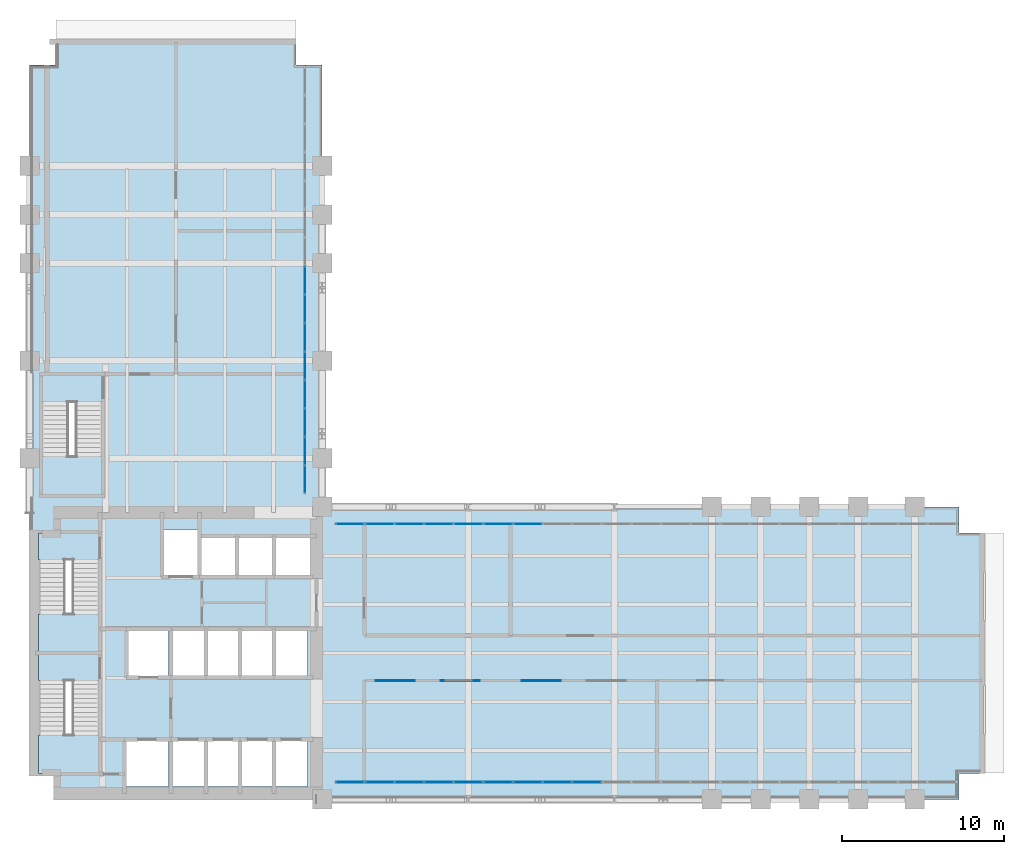
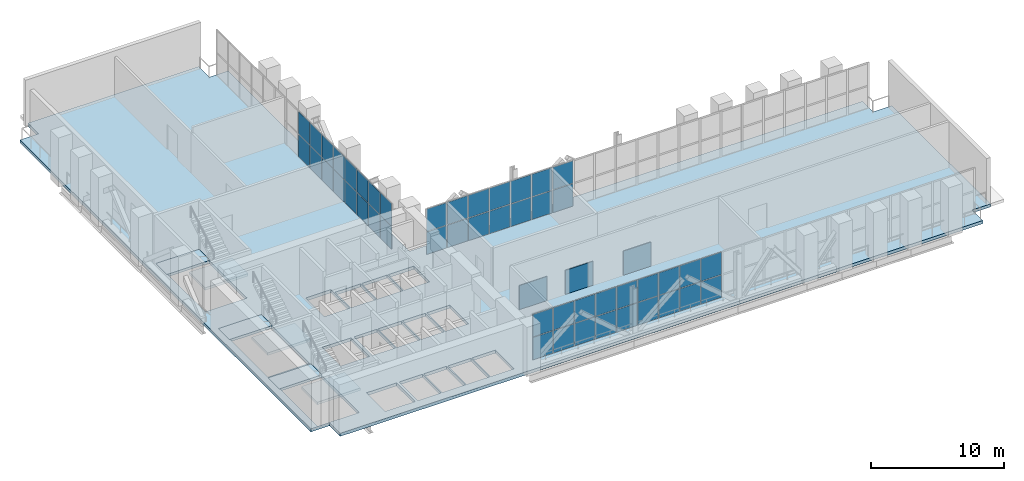
# One storey, part 21 of 27: 51 plates, 7 slabs, 6 elements without a shape of their own.
"""IFC4 building model written with IfcOpenShell, lengths in metres."""

from ifc_helpers import new_model, si_unit, direction, frame, origin, origin_2d, place, context, subcontext, project, spatial, polyline, rectangle, outline, extrude, material, layer, layer_set, type_object, element, aggregate, save


model = new_model("IFC4")

# Units and contexts
model_context = context("Model", 3, precision=1e-05, world=origin(), true_north=direction((0.0, 1.0)))
body_context = subcontext(model_context, "Body", "Model", "MODEL_VIEW")
ifc_project = project(units=[si_unit("LENGTHUNIT", "METRE"), si_unit("AREAUNIT", "SQUARE_METRE"), si_unit("VOLUMEUNIT", "CUBIC_METRE"), si_unit("PLANEANGLEUNIT", "RADIAN"), si_unit("MASSUNIT", "GRAM", prefix="KILO")], contexts=[model_context])

# Site, building, storey
site_placement = place(None, origin())
site = spatial("IfcSite", under=ifc_project, at=site_placement, CompositionType="ELEMENT")
building_placement = place(site_placement, origin())
building = spatial("IfcBuilding", under=site, at=building_placement, Name="Mawjdan Bourse Tower", CompositionType="ELEMENT")
storey_placement = place(building_placement, frame((0.0, 0.0, 84.60009765625)))
storey = spatial("IfcBuildingStorey", under=building, at=storey_placement, Name="L19", CompositionType="ELEMENT", Elevation=84.60009765625)

# Plates
ifc_material_1 = material(Name="Perforated Acoustic Aluminium Sheet", Category="aluminium")
ifc_layer_1 = layer(ifc_material_1, 0.044921875)
ifc_layer_set_1 = layer_set([ifc_layer_1], Name="Perforated Acoustic Aluminium Sheet")
plate_type_1 = type_object("IfcPlateType", Name="PLT-SCR-2400", PredefinedType="SHEET", material=ifc_layer_set_1)
for number, where, z_axis, x_axis, name in (
    (1, (28.5, 10.300048828125, 0.0), (0.0, 0.0, 1.0), (1.0, 0.0, 0.0), "L19 Acoustic Plant Plenum Screen 1"),
    (2, (32.5, 10.300048828125, 0.0), (0.0, 0.0, 1.0), (1.0, 0.0, 0.0), "L19 Acoustic Plant Plenum Screen 2"),
    (3, (37.5, 10.300048828125, 0.0), (0.0, 0.0, 1.0), (1.0, 0.0, 0.0), "L19 Acoustic Plant Plenum Screen 3"),
):
    element("IfcPlate", number, at=place(storey_placement, frame(where, z_axis=z_axis, x_axis=x_axis)), inside=storey, type_object=plate_type_1, Name=name, PredefinedType="SHEET", context=body_context, shape_type="SweptSolid", body=[
        extrude(rectangle(XDim=2.39990234375, YDim=0.044921875, at=origin_2d()), origin(), (0.0, 0.0, 1.0), 2.199951171875),
    ])

# Curtain wall, plates
ifc_material_2 = material(Name="Thermally Broken Aluminium and Solar Glass", Category="aluminium")
ifc_layer_2 = layer(ifc_material_2, 0.219970703125)
ifc_layer_set_2 = layer_set([ifc_layer_2], Name="Thermally Broken Aluminium and Solar Glass")
curtain_wall_type = type_object("IfcCurtainWallType", Name="CW-RFG", PredefinedType="USERDEFINED", material=ifc_layer_set_2)
curtain_wall_1_placement = place(storey_placement, origin())
curtain_wall_1 = element("IfcCurtainWall", 4, at=curtain_wall_1_placement, inside=storey, type_object=curtain_wall_type, Name="L19 Refuge Band South Louvre Curtain Wall", ObjectType="REFUGE BAND LOUVRE SCREEN", PredefinedType="USERDEFINED")
ifc_material_3 = material(Name="Anodised Sand-Trap Aluminium Louvre", Category="aluminium")
ifc_layer_3 = layer(ifc_material_3, 0.050048828125)
ifc_layer_set_3 = layer_set([ifc_layer_3], Name="Anodised Sand-Trap Aluminium Louvre")
plate_type_2 = type_object("IfcPlateType", Name="PNL-CW-RFG", PredefinedType="CURTAIN_PANEL", material=ifc_layer_set_3)
plate_1_placement = place(storey_placement, frame((25.728271484375, 4.050048828125, 0.054931640625), z_axis=(0.0, 0.0, 1.0), x_axis=(1.0, 0.0, 0.0)))
plate_1 = element("IfcPlate", 5, at=plate_1_placement, type_object=plate_type_2, Name="CW-RFG-L19-RFG-S panel 1.1", PredefinedType="CURTAIN_PANEL", context=body_context, shape_type="SweptSolid", body=[
    extrude(rectangle(XDim=1.726318359375, YDim=0.050048828125, at=origin_2d()), origin(), (0.0, 0.0, 1.0), 2.04248046875),
])
plate_2_placement = place(storey_placement, frame((25.728271484375, 4.050048828125, 2.15234375), z_axis=(0.0, 0.0, 1.0), x_axis=(1.0, 0.0, 0.0)))
plate_2 = element("IfcPlate", 6, at=plate_2_placement, type_object=plate_type_2, Name="CW-RFG-L19-RFG-S panel 1.2", PredefinedType="CURTAIN_PANEL", context=body_context, shape_type="SweptSolid", body=[
    extrude(rectangle(XDim=1.726318359375, YDim=0.050048828125, at=origin_2d()), origin(), (0.0, 0.0, 1.0), 2.04248046875),
])
plate_3_placement = place(storey_placement, frame((27.53564453125, 4.050048828125, 0.054931640625), z_axis=(0.0, 0.0, 1.0), x_axis=(1.0, 0.0, 0.0)))
plate_3 = element("IfcPlate", 7, at=plate_3_placement, type_object=plate_type_2, Name="CW-RFG-L19-RFG-S panel 2.1", PredefinedType="CURTAIN_PANEL", context=body_context, shape_type="SweptSolid", body=[
    extrude(rectangle(XDim=1.7587890625, YDim=0.050048828125, at=origin_2d()), origin(), (0.0, 0.0, 1.0), 2.04248046875),
])
plate_4_placement = place(storey_placement, frame((27.53564453125, 4.050048828125, 2.15234375), z_axis=(0.0, 0.0, 1.0), x_axis=(1.0, 0.0, 0.0)))
plate_4 = element("IfcPlate", 8, at=plate_4_placement, type_object=plate_type_2, Name="CW-RFG-L19-RFG-S panel 2.2", PredefinedType="CURTAIN_PANEL", context=body_context, shape_type="SweptSolid", body=[
    extrude(rectangle(XDim=1.7587890625, YDim=0.050048828125, at=origin_2d()), origin(), (0.0, 0.0, 1.0), 2.04248046875),
])
plate_5_placement = place(storey_placement, frame((29.359619140625, 4.050048828125, 0.054931640625), z_axis=(0.0, 0.0, 1.0), x_axis=(1.0, 0.0, 0.0)))
plate_5 = element("IfcPlate", 9, at=plate_5_placement, type_object=plate_type_2, Name="CW-RFG-L19-RFG-S panel 3.1", PredefinedType="CURTAIN_PANEL", context=body_context, shape_type="SweptSolid", body=[
    extrude(rectangle(XDim=1.7587890625, YDim=0.050048828125, at=origin_2d()), origin(), (0.0, 0.0, 1.0), 2.04248046875),
])
plate_6_placement = place(storey_placement, frame((29.359619140625, 4.050048828125, 2.15234375), z_axis=(0.0, 0.0, 1.0), x_axis=(1.0, 0.0, 0.0)))
plate_6 = element("IfcPlate", 10, at=plate_6_placement, type_object=plate_type_2, Name="CW-RFG-L19-RFG-S panel 3.2", PredefinedType="CURTAIN_PANEL", context=body_context, shape_type="SweptSolid", body=[
    extrude(rectangle(XDim=1.7587890625, YDim=0.050048828125, at=origin_2d()), origin(), (0.0, 0.0, 1.0), 2.04248046875),
])
plate_7_placement = place(storey_placement, frame((31.183349609375, 4.050048828125, 0.054931640625), z_axis=(0.0, 0.0, 1.0), x_axis=(1.0, 0.0, 0.0)))
plate_7 = element("IfcPlate", 11, at=plate_7_placement, type_object=plate_type_2, Name="CW-RFG-L19-RFG-S panel 4.1", PredefinedType="CURTAIN_PANEL", context=body_context, shape_type="SweptSolid", body=[
    extrude(rectangle(XDim=1.7587890625, YDim=0.050048828125, at=origin_2d()), origin(), (0.0, 0.0, 1.0), 2.04248046875),
])
plate_8_placement = place(storey_placement, frame((31.183349609375, 4.050048828125, 2.15234375), z_axis=(0.0, 0.0, 1.0), x_axis=(1.0, 0.0, 0.0)))
plate_8 = element("IfcPlate", 12, at=plate_8_placement, type_object=plate_type_2, Name="CW-RFG-L19-RFG-S panel 4.2", PredefinedType="CURTAIN_PANEL", context=body_context, shape_type="SweptSolid", body=[
    extrude(rectangle(XDim=1.7587890625, YDim=0.050048828125, at=origin_2d()), origin(), (0.0, 0.0, 1.0), 2.04248046875),
])
plate_9_placement = place(storey_placement, frame((33.007080078125, 4.050048828125, 0.054931640625), z_axis=(0.0, 0.0, 1.0), x_axis=(1.0, 0.0, 0.0)))
plate_9 = element("IfcPlate", 13, at=plate_9_placement, type_object=plate_type_2, Name="CW-RFG-L19-RFG-S panel 5.1", PredefinedType="CURTAIN_PANEL", context=body_context, shape_type="SweptSolid", body=[
    extrude(rectangle(XDim=1.7587890625, YDim=0.050048828125, at=origin_2d()), origin(), (0.0, 0.0, 1.0), 2.04248046875),
])
plate_10_placement = place(storey_placement, frame((33.007080078125, 4.050048828125, 2.15234375), z_axis=(0.0, 0.0, 1.0), x_axis=(1.0, 0.0, 0.0)))
plate_10 = element("IfcPlate", 14, at=plate_10_placement, type_object=plate_type_2, Name="CW-RFG-L19-RFG-S panel 5.2", PredefinedType="CURTAIN_PANEL", context=body_context, shape_type="SweptSolid", body=[
    extrude(rectangle(XDim=1.7587890625, YDim=0.050048828125, at=origin_2d()), origin(), (0.0, 0.0, 1.0), 2.04248046875),
])
plate_11_placement = place(storey_placement, frame((34.8310546875, 4.050048828125, 0.054931640625), z_axis=(0.0, 0.0, 1.0), x_axis=(1.0, 0.0, 0.0)))
plate_11 = element("IfcPlate", 15, at=plate_11_placement, type_object=plate_type_2, Name="CW-RFG-L19-RFG-S panel 6.1", PredefinedType="CURTAIN_PANEL", context=body_context, shape_type="SweptSolid", body=[
    extrude(rectangle(XDim=1.7587890625, YDim=0.050048828125, at=origin_2d()), origin(), (0.0, 0.0, 1.0), 2.04248046875),
])
plate_12_placement = place(storey_placement, frame((34.8310546875, 4.050048828125, 2.15234375), z_axis=(0.0, 0.0, 1.0), x_axis=(1.0, 0.0, 0.0)))
plate_12 = element("IfcPlate", 16, at=plate_12_placement, type_object=plate_type_2, Name="CW-RFG-L19-RFG-S panel 6.2", PredefinedType="CURTAIN_PANEL", context=body_context, shape_type="SweptSolid", body=[
    extrude(rectangle(XDim=1.7587890625, YDim=0.050048828125, at=origin_2d()), origin(), (0.0, 0.0, 1.0), 2.04248046875),
])
plate_13_placement = place(storey_placement, frame((36.65478515625, 4.050048828125, 0.054931640625), z_axis=(0.0, 0.0, 1.0), x_axis=(1.0, 0.0, 0.0)))
plate_13 = element("IfcPlate", 17, at=plate_13_placement, type_object=plate_type_2, Name="CW-RFG-L19-RFG-S panel 7.1", PredefinedType="CURTAIN_PANEL", context=body_context, shape_type="SweptSolid", body=[
    extrude(rectangle(XDim=1.7587890625, YDim=0.050048828125, at=origin_2d()), origin(), (0.0, 0.0, 1.0), 2.04248046875),
])
plate_14_placement = place(storey_placement, frame((36.65478515625, 4.050048828125, 2.15234375), z_axis=(0.0, 0.0, 1.0), x_axis=(1.0, 0.0, 0.0)))
plate_14 = element("IfcPlate", 18, at=plate_14_placement, type_object=plate_type_2, Name="CW-RFG-L19-RFG-S panel 7.2", PredefinedType="CURTAIN_PANEL", context=body_context, shape_type="SweptSolid", body=[
    extrude(rectangle(XDim=1.7587890625, YDim=0.050048828125, at=origin_2d()), origin(), (0.0, 0.0, 1.0), 2.04248046875),
])
plate_15_placement = place(storey_placement, frame((38.478515625, 4.050048828125, 0.054931640625), z_axis=(0.0, 0.0, 1.0), x_axis=(1.0, 0.0, 0.0)))
plate_15 = element("IfcPlate", 19, at=plate_15_placement, type_object=plate_type_2, Name="CW-RFG-L19-RFG-S panel 8.1", PredefinedType="CURTAIN_PANEL", context=body_context, shape_type="SweptSolid", body=[
    extrude(rectangle(XDim=1.7587890625, YDim=0.050048828125, at=origin_2d()), origin(), (0.0, 0.0, 1.0), 2.04248046875),
])
plate_16_placement = place(storey_placement, frame((38.478515625, 4.050048828125, 2.15234375), z_axis=(0.0, 0.0, 1.0), x_axis=(1.0, 0.0, 0.0)))
plate_16 = element("IfcPlate", 20, at=plate_16_placement, type_object=plate_type_2, Name="CW-RFG-L19-RFG-S panel 8.2", PredefinedType="CURTAIN_PANEL", context=body_context, shape_type="SweptSolid", body=[
    extrude(rectangle(XDim=1.7587890625, YDim=0.050048828125, at=origin_2d()), origin(), (0.0, 0.0, 1.0), 2.04248046875),
])
plate_17_placement = place(storey_placement, frame((40.302490234375, 4.050048828125, 0.054931640625), z_axis=(0.0, 0.0, 1.0), x_axis=(1.0, 0.0, 0.0)))
plate_17 = element("IfcPlate", 21, at=plate_17_placement, type_object=plate_type_2, Name="CW-RFG-L19-RFG-S panel 9.1", PredefinedType="CURTAIN_PANEL", context=body_context, shape_type="SweptSolid", body=[
    extrude(rectangle(XDim=1.7587890625, YDim=0.050048828125, at=origin_2d()), origin(), (0.0, 0.0, 1.0), 2.04248046875),
])
plate_18_placement = place(storey_placement, frame((40.302490234375, 4.050048828125, 2.15234375), z_axis=(0.0, 0.0, 1.0), x_axis=(1.0, 0.0, 0.0)))
plate_18 = element("IfcPlate", 22, at=plate_18_placement, type_object=plate_type_2, Name="CW-RFG-L19-RFG-S panel 9.2", PredefinedType="CURTAIN_PANEL", context=body_context, shape_type="SweptSolid", body=[
    extrude(rectangle(XDim=1.7587890625, YDim=0.050048828125, at=origin_2d()), origin(), (0.0, 0.0, 1.0), 2.04248046875),
])
aggregate(curtain_wall_1, [plate_1, plate_2, plate_3, plate_4, plate_5, plate_6, plate_7, plate_8, plate_9, plate_10, plate_11, plate_12, plate_13, plate_14, plate_15, plate_16, plate_17, plate_18])

curtain_wall_2_placement = place(storey_placement, origin())
curtain_wall_2 = element("IfcCurtainWall", 23, at=curtain_wall_2_placement, inside=storey, type_object=curtain_wall_type, Name="L19 Refuge Band North Louvre Curtain Wall", ObjectType="REFUGE BAND LOUVRE SCREEN", PredefinedType="USERDEFINED")
plate_19_placement = place(storey_placement, frame((36.65478515625, 19.949951171875, 0.054931640625), z_axis=(0.0, 0.0, 1.0), x_axis=(-1.0, 0.0, 0.0)))
plate_19 = element("IfcPlate", 24, at=plate_19_placement, type_object=plate_type_2, Name="CW-RFG-L19-RFG-N panel 15.1", PredefinedType="CURTAIN_PANEL", context=body_context, shape_type="SweptSolid", body=[
    extrude(rectangle(XDim=1.7587890625, YDim=0.050048828125, at=origin_2d()), origin(), (0.0, 0.0, 1.0), 2.04248046875),
])
plate_20_placement = place(storey_placement, frame((36.65478515625, 19.949951171875, 2.15234375), z_axis=(0.0, 0.0, 1.0), x_axis=(-1.0, 0.0, 0.0)))
plate_20 = element("IfcPlate", 25, at=plate_20_placement, type_object=plate_type_2, Name="CW-RFG-L19-RFG-N panel 15.2", PredefinedType="CURTAIN_PANEL", context=body_context, shape_type="SweptSolid", body=[
    extrude(rectangle(XDim=1.7587890625, YDim=0.050048828125, at=origin_2d()), origin(), (0.0, 0.0, 1.0), 2.04248046875),
])
plate_21_placement = place(storey_placement, frame((34.8310546875, 19.949951171875, 0.054931640625), z_axis=(0.0, 0.0, 1.0), x_axis=(-1.0, 0.0, 0.0)))
plate_21 = element("IfcPlate", 26, at=plate_21_placement, type_object=plate_type_2, Name="CW-RFG-L19-RFG-N panel 16.1", PredefinedType="CURTAIN_PANEL", context=body_context, shape_type="SweptSolid", body=[
    extrude(rectangle(XDim=1.7587890625, YDim=0.050048828125, at=origin_2d()), origin(), (0.0, 0.0, 1.0), 2.04248046875),
])
plate_22_placement = place(storey_placement, frame((34.8310546875, 19.949951171875, 2.15234375), z_axis=(0.0, 0.0, 1.0), x_axis=(-1.0, 0.0, 0.0)))
plate_22 = element("IfcPlate", 27, at=plate_22_placement, type_object=plate_type_2, Name="CW-RFG-L19-RFG-N panel 16.2", PredefinedType="CURTAIN_PANEL", context=body_context, shape_type="SweptSolid", body=[
    extrude(rectangle(XDim=1.7587890625, YDim=0.050048828125, at=origin_2d()), origin(), (0.0, 0.0, 1.0), 2.04248046875),
])
plate_23_placement = place(storey_placement, frame((33.007080078125, 19.949951171875, 0.054931640625), z_axis=(0.0, 0.0, 1.0), x_axis=(-1.0, 0.0, 0.0)))
plate_23 = element("IfcPlate", 28, at=plate_23_placement, type_object=plate_type_2, Name="CW-RFG-L19-RFG-N panel 17.1", PredefinedType="CURTAIN_PANEL", context=body_context, shape_type="SweptSolid", body=[
    extrude(rectangle(XDim=1.7587890625, YDim=0.050048828125, at=origin_2d()), origin(), (0.0, 0.0, 1.0), 2.04248046875),
])
plate_24_placement = place(storey_placement, frame((33.007080078125, 19.949951171875, 2.15234375), z_axis=(0.0, 0.0, 1.0), x_axis=(-1.0, 0.0, 0.0)))
plate_24 = element("IfcPlate", 29, at=plate_24_placement, type_object=plate_type_2, Name="CW-RFG-L19-RFG-N panel 17.2", PredefinedType="CURTAIN_PANEL", context=body_context, shape_type="SweptSolid", body=[
    extrude(rectangle(XDim=1.7587890625, YDim=0.050048828125, at=origin_2d()), origin(), (0.0, 0.0, 1.0), 2.04248046875),
])
plate_25_placement = place(storey_placement, frame((31.183349609375, 19.949951171875, 0.054931640625), z_axis=(0.0, 0.0, 1.0), x_axis=(-1.0, 0.0, 0.0)))
plate_25 = element("IfcPlate", 30, at=plate_25_placement, type_object=plate_type_2, Name="CW-RFG-L19-RFG-N panel 18.1", PredefinedType="CURTAIN_PANEL", context=body_context, shape_type="SweptSolid", body=[
    extrude(rectangle(XDim=1.7587890625, YDim=0.050048828125, at=origin_2d()), origin(), (0.0, 0.0, 1.0), 2.04248046875),
])
plate_26_placement = place(storey_placement, frame((31.183349609375, 19.949951171875, 2.15234375), z_axis=(0.0, 0.0, 1.0), x_axis=(-1.0, 0.0, 0.0)))
plate_26 = element("IfcPlate", 31, at=plate_26_placement, type_object=plate_type_2, Name="CW-RFG-L19-RFG-N panel 18.2", PredefinedType="CURTAIN_PANEL", context=body_context, shape_type="SweptSolid", body=[
    extrude(rectangle(XDim=1.7587890625, YDim=0.050048828125, at=origin_2d()), origin(), (0.0, 0.0, 1.0), 2.04248046875),
])
plate_27_placement = place(storey_placement, frame((29.359619140625, 19.949951171875, 0.054931640625), z_axis=(0.0, 0.0, 1.0), x_axis=(-1.0, 0.0, 0.0)))
plate_27 = element("IfcPlate", 32, at=plate_27_placement, type_object=plate_type_2, Name="CW-RFG-L19-RFG-N panel 19.1", PredefinedType="CURTAIN_PANEL", context=body_context, shape_type="SweptSolid", body=[
    extrude(rectangle(XDim=1.7587890625, YDim=0.050048828125, at=origin_2d()), origin(), (0.0, 0.0, 1.0), 2.04248046875),
])
plate_28_placement = place(storey_placement, frame((29.359619140625, 19.949951171875, 2.15234375), z_axis=(0.0, 0.0, 1.0), x_axis=(-1.0, 0.0, 0.0)))
plate_28 = element("IfcPlate", 33, at=plate_28_placement, type_object=plate_type_2, Name="CW-RFG-L19-RFG-N panel 19.2", PredefinedType="CURTAIN_PANEL", context=body_context, shape_type="SweptSolid", body=[
    extrude(rectangle(XDim=1.7587890625, YDim=0.050048828125, at=origin_2d()), origin(), (0.0, 0.0, 1.0), 2.04248046875),
])
plate_29_placement = place(storey_placement, frame((27.53564453125, 19.949951171875, 0.054931640625), z_axis=(0.0, 0.0, 1.0), x_axis=(-1.0, 0.0, 0.0)))
plate_29 = element("IfcPlate", 34, at=plate_29_placement, type_object=plate_type_2, Name="CW-RFG-L19-RFG-N panel 20.1", PredefinedType="CURTAIN_PANEL", context=body_context, shape_type="SweptSolid", body=[
    extrude(rectangle(XDim=1.7587890625, YDim=0.050048828125, at=origin_2d()), origin(), (0.0, 0.0, 1.0), 2.04248046875),
])
plate_30_placement = place(storey_placement, frame((27.53564453125, 19.949951171875, 2.15234375), z_axis=(0.0, 0.0, 1.0), x_axis=(-1.0, 0.0, 0.0)))
plate_30 = element("IfcPlate", 35, at=plate_30_placement, type_object=plate_type_2, Name="CW-RFG-L19-RFG-N panel 20.2", PredefinedType="CURTAIN_PANEL", context=body_context, shape_type="SweptSolid", body=[
    extrude(rectangle(XDim=1.7587890625, YDim=0.050048828125, at=origin_2d()), origin(), (0.0, 0.0, 1.0), 2.04248046875),
])
plate_31_placement = place(storey_placement, frame((25.728271484375, 19.949951171875, 0.054931640625), z_axis=(0.0, 0.0, 1.0), x_axis=(-1.0, 0.0, 0.0)))
plate_31 = element("IfcPlate", 36, at=plate_31_placement, type_object=plate_type_2, Name="CW-RFG-L19-RFG-N panel 21.1", PredefinedType="CURTAIN_PANEL", context=body_context, shape_type="SweptSolid", body=[
    extrude(rectangle(XDim=1.726318359375, YDim=0.050048828125, at=origin_2d()), origin(), (0.0, 0.0, 1.0), 2.04248046875),
])
plate_32_placement = place(storey_placement, frame((25.728271484375, 19.949951171875, 2.15234375), z_axis=(0.0, 0.0, 1.0), x_axis=(-1.0, 0.0, 0.0)))
plate_32 = element("IfcPlate", 37, at=plate_32_placement, type_object=plate_type_2, Name="CW-RFG-L19-RFG-N panel 21.2", PredefinedType="CURTAIN_PANEL", context=body_context, shape_type="SweptSolid", body=[
    extrude(rectangle(XDim=1.726318359375, YDim=0.050048828125, at=origin_2d()), origin(), (0.0, 0.0, 1.0), 2.04248046875),
])
aggregate(curtain_wall_2, [plate_19, plate_20, plate_21, plate_22, plate_23, plate_24, plate_25, plate_26, plate_27, plate_28, plate_29, plate_30, plate_31, plate_32])

curtain_wall_3_placement = place(storey_placement, origin())
curtain_wall_3 = element("IfcCurtainWall", 38, at=curtain_wall_3_placement, inside=storey, type_object=curtain_wall_type, Name="L19 Refuge Band North-Wing Louvre Curtain Wall", ObjectType="REFUGE BAND LOUVRE SCREEN", PredefinedType="USERDEFINED")
plate_33_placement = place(storey_placement, frame((22.949951171875, 22.69287109375, 0.054931640625), z_axis=(0.0, 0.0, 1.0), x_axis=(0.0, 1.0, 0.0)))
plate_33 = element("IfcPlate", 39, at=plate_33_placement, type_object=plate_type_2, Name="CW-RFG-L19-RFG-W panel 1.1", PredefinedType="CURTAIN_PANEL", context=body_context, shape_type="SweptSolid", body=[
    extrude(rectangle(XDim=1.65576171875, YDim=0.050048828125, at=origin_2d()), origin(), (0.0, 0.0, 1.0), 2.04248046875),
])
plate_34_placement = place(storey_placement, frame((22.949951171875, 22.69287109375, 2.15234375), z_axis=(0.0, 0.0, 1.0), x_axis=(0.0, 1.0, 0.0)))
plate_34 = element("IfcPlate", 40, at=plate_34_placement, type_object=plate_type_2, Name="CW-RFG-L19-RFG-W panel 1.2", PredefinedType="CURTAIN_PANEL", context=body_context, shape_type="SweptSolid", body=[
    extrude(rectangle(XDim=1.65576171875, YDim=0.050048828125, at=origin_2d()), origin(), (0.0, 0.0, 1.0), 2.04248046875),
])
plate_35_placement = place(storey_placement, frame((22.949951171875, 24.429931640625, 0.054931640625), z_axis=(0.0, 0.0, 1.0), x_axis=(0.0, 1.0, 0.0)))
plate_35 = element("IfcPlate", 41, at=plate_35_placement, type_object=plate_type_2, Name="CW-RFG-L19-RFG-W panel 2.1", PredefinedType="CURTAIN_PANEL", context=body_context, shape_type="SweptSolid", body=[
    extrude(rectangle(XDim=1.688232421875, YDim=0.050048828125, at=origin_2d()), origin(), (0.0, 0.0, 1.0), 2.04248046875),
])
plate_36_placement = place(storey_placement, frame((22.949951171875, 24.429931640625, 2.15234375), z_axis=(0.0, 0.0, 1.0), x_axis=(0.0, 1.0, 0.0)))
plate_36 = element("IfcPlate", 42, at=plate_36_placement, type_object=plate_type_2, Name="CW-RFG-L19-RFG-W panel 2.2", PredefinedType="CURTAIN_PANEL", context=body_context, shape_type="SweptSolid", body=[
    extrude(rectangle(XDim=1.688232421875, YDim=0.050048828125, at=origin_2d()), origin(), (0.0, 0.0, 1.0), 2.04248046875),
])
plate_37_placement = place(storey_placement, frame((22.949951171875, 26.183349609375, 0.054931640625), z_axis=(0.0, 0.0, 1.0), x_axis=(0.0, 1.0, 0.0)))
plate_37 = element("IfcPlate", 43, at=plate_37_placement, type_object=plate_type_2, Name="CW-RFG-L19-RFG-W panel 3.1", PredefinedType="CURTAIN_PANEL", context=body_context, shape_type="SweptSolid", body=[
    extrude(rectangle(XDim=1.688232421875, YDim=0.050048828125, at=origin_2d()), origin(), (0.0, 0.0, 1.0), 2.04248046875),
])
plate_38_placement = place(storey_placement, frame((22.949951171875, 26.183349609375, 2.15234375), z_axis=(0.0, 0.0, 1.0), x_axis=(0.0, 1.0, 0.0)))
plate_38 = element("IfcPlate", 44, at=plate_38_placement, type_object=plate_type_2, Name="CW-RFG-L19-RFG-W panel 3.2", PredefinedType="CURTAIN_PANEL", context=body_context, shape_type="SweptSolid", body=[
    extrude(rectangle(XDim=1.688232421875, YDim=0.050048828125, at=origin_2d()), origin(), (0.0, 0.0, 1.0), 2.04248046875),
])
plate_39_placement = place(storey_placement, frame((22.949951171875, 27.936767578125, 0.054931640625), z_axis=(0.0, 0.0, 1.0), x_axis=(0.0, 1.0, 0.0)))
plate_39 = element("IfcPlate", 45, at=plate_39_placement, type_object=plate_type_2, Name="CW-RFG-L19-RFG-W panel 4.1", PredefinedType="CURTAIN_PANEL", context=body_context, shape_type="SweptSolid", body=[
    extrude(rectangle(XDim=1.688232421875, YDim=0.050048828125, at=origin_2d()), origin(), (0.0, 0.0, 1.0), 2.04248046875),
])
plate_40_placement = place(storey_placement, frame((22.949951171875, 27.936767578125, 2.15234375), z_axis=(0.0, 0.0, 1.0), x_axis=(0.0, 1.0, 0.0)))
plate_40 = element("IfcPlate", 46, at=plate_40_placement, type_object=plate_type_2, Name="CW-RFG-L19-RFG-W panel 4.2", PredefinedType="CURTAIN_PANEL", context=body_context, shape_type="SweptSolid", body=[
    extrude(rectangle(XDim=1.688232421875, YDim=0.050048828125, at=origin_2d()), origin(), (0.0, 0.0, 1.0), 2.04248046875),
])
plate_41_placement = place(storey_placement, frame((22.949951171875, 29.68994140625, 0.054931640625), z_axis=(0.0, 0.0, 1.0), x_axis=(0.0, 1.0, 0.0)))
plate_41 = element("IfcPlate", 47, at=plate_41_placement, type_object=plate_type_2, Name="CW-RFG-L19-RFG-W panel 5.1", PredefinedType="CURTAIN_PANEL", context=body_context, shape_type="SweptSolid", body=[
    extrude(rectangle(XDim=1.688232421875, YDim=0.050048828125, at=origin_2d()), origin(), (0.0, 0.0, 1.0), 2.04248046875),
])
plate_42_placement = place(storey_placement, frame((22.949951171875, 29.68994140625, 2.15234375), z_axis=(0.0, 0.0, 1.0), x_axis=(0.0, 1.0, 0.0)))
plate_42 = element("IfcPlate", 48, at=plate_42_placement, type_object=plate_type_2, Name="CW-RFG-L19-RFG-W panel 5.2", PredefinedType="CURTAIN_PANEL", context=body_context, shape_type="SweptSolid", body=[
    extrude(rectangle(XDim=1.688232421875, YDim=0.050048828125, at=origin_2d()), origin(), (0.0, 0.0, 1.0), 2.04248046875),
])
plate_43_placement = place(storey_placement, frame((22.949951171875, 31.443359375, 0.054931640625), z_axis=(0.0, 0.0, 1.0), x_axis=(0.0, 1.0, 0.0)))
plate_43 = element("IfcPlate", 49, at=plate_43_placement, type_object=plate_type_2, Name="CW-RFG-L19-RFG-W panel 6.1", PredefinedType="CURTAIN_PANEL", context=body_context, shape_type="SweptSolid", body=[
    extrude(rectangle(XDim=1.688232421875, YDim=0.050048828125, at=origin_2d()), origin(), (0.0, 0.0, 1.0), 2.04248046875),
])
plate_44_placement = place(storey_placement, frame((22.949951171875, 31.443359375, 2.15234375), z_axis=(0.0, 0.0, 1.0), x_axis=(0.0, 1.0, 0.0)))
plate_44 = element("IfcPlate", 50, at=plate_44_placement, type_object=plate_type_2, Name="CW-RFG-L19-RFG-W panel 6.2", PredefinedType="CURTAIN_PANEL", context=body_context, shape_type="SweptSolid", body=[
    extrude(rectangle(XDim=1.688232421875, YDim=0.050048828125, at=origin_2d()), origin(), (0.0, 0.0, 1.0), 2.04248046875),
])
plate_45_placement = place(storey_placement, frame((22.949951171875, 33.19677734375, 0.054931640625), z_axis=(0.0, 0.0, 1.0), x_axis=(0.0, 1.0, 0.0)))
plate_45 = element("IfcPlate", 51, at=plate_45_placement, type_object=plate_type_2, Name="CW-RFG-L19-RFG-W panel 7.1", PredefinedType="CURTAIN_PANEL", context=body_context, shape_type="SweptSolid", body=[
    extrude(rectangle(XDim=1.688232421875, YDim=0.050048828125, at=origin_2d()), origin(), (0.0, 0.0, 1.0), 2.04248046875),
])
plate_46_placement = place(storey_placement, frame((22.949951171875, 33.19677734375, 2.15234375), z_axis=(0.0, 0.0, 1.0), x_axis=(0.0, 1.0, 0.0)))
plate_46 = element("IfcPlate", 52, at=plate_46_placement, type_object=plate_type_2, Name="CW-RFG-L19-RFG-W panel 7.2", PredefinedType="CURTAIN_PANEL", context=body_context, shape_type="SweptSolid", body=[
    extrude(rectangle(XDim=1.688232421875, YDim=0.050048828125, at=origin_2d()), origin(), (0.0, 0.0, 1.0), 2.04248046875),
])
plate_47_placement = place(storey_placement, frame((22.949951171875, 34.949951171875, 0.054931640625), z_axis=(0.0, 0.0, 1.0), x_axis=(0.0, 1.0, 0.0)))
plate_47 = element("IfcPlate", 53, at=plate_47_placement, type_object=plate_type_2, Name="CW-RFG-L19-RFG-W panel 8.1", PredefinedType="CURTAIN_PANEL", context=body_context, shape_type="SweptSolid", body=[
    extrude(rectangle(XDim=1.688232421875, YDim=0.050048828125, at=origin_2d()), origin(), (0.0, 0.0, 1.0), 2.04248046875),
])
plate_48_placement = place(storey_placement, frame((22.949951171875, 34.949951171875, 2.15234375), z_axis=(0.0, 0.0, 1.0), x_axis=(0.0, 1.0, 0.0)))
plate_48 = element("IfcPlate", 54, at=plate_48_placement, type_object=plate_type_2, Name="CW-RFG-L19-RFG-W panel 8.2", PredefinedType="CURTAIN_PANEL", context=body_context, shape_type="SweptSolid", body=[
    extrude(rectangle(XDim=1.688232421875, YDim=0.050048828125, at=origin_2d()), origin(), (0.0, 0.0, 1.0), 2.04248046875),
])
aggregate(curtain_wall_3, [plate_33, plate_34, plate_35, plate_36, plate_37, plate_38, plate_39, plate_40, plate_41, plate_42, plate_43, plate_44, plate_45, plate_46, plate_47, plate_48])

# Stair, slabs
ifc_material_4 = material(Name="Concrete C50/60", Category="concrete")
stair_type = type_object("IfcStairType", Name="STR-CORE-1500", PredefinedType="HALF_TURN_STAIR", material=ifc_material_4)
stair_1_placement = place(storey_placement, origin())
stair_1 = element("IfcStair", 55, at=stair_1_placement, inside=storey, type_object=stair_type, Name="L19 Exit Stair 1 (Core South-West)", PredefinedType="HALF_TURN_STAIR")
ifc_layer_4 = layer(ifc_material_4, 0.22998046875)
ifc_layer_set_4 = layer_set([ifc_layer_4], Name="Concrete C50/60")
slab_type_1 = type_object("IfcSlabType", Name="SL-LND-230", PredefinedType="LANDING", material=ifc_layer_set_4)
slab_1_placement = place(storey_placement, frame((0.0, 0.0, -0.22998046875)))
slab_1 = element("IfcSlab", 56, at=slab_1_placement, type_object=slab_type_1, Name="ST1-L19 landing 1", PredefinedType="LANDING", context=body_context, shape_type="SweptSolid", body=[
    extrude(outline(polyline([(6.5400390625, 10.31005859375), (10.260009765625, 10.31005859375), (10.260009765625, 11.969970703125), (6.5400390625, 11.969970703125), (6.5400390625, 10.31005859375)])), origin(), (0.0, 0.0, 1.0), 0.22998046875),
])
slab_2_placement = place(storey_placement, frame((0.0, 0.0, 2.02001953125)))
slab_2 = element("IfcSlab", 57, at=slab_2_placement, type_object=slab_type_1, Name="ST1-L19 landing 2", PredefinedType="LANDING", context=body_context, shape_type="SweptSolid", body=[
    extrude(outline(polyline([(6.5400390625, 4.590087890625), (10.260009765625, 4.590087890625), (10.260009765625, 6.969970703125), (6.5400390625, 6.969970703125), (6.5400390625, 4.590087890625)])), origin(), (0.0, 0.0, 1.0), 0.22998046875),
])
aggregate(stair_1, [slab_1, slab_2])

stair_2_placement = place(storey_placement, origin())
stair_2 = element("IfcStair", 58, at=stair_2_placement, inside=storey, type_object=stair_type, Name="L19 Exit Stair 2 (Core North-West)", PredefinedType="HALF_TURN_STAIR")
slab_3_placement = place(storey_placement, frame((0.0, 0.0, -0.22998046875)))
slab_3 = element("IfcSlab", 59, at=slab_3_placement, type_object=slab_type_1, Name="ST2-L19 landing 1", PredefinedType="LANDING", context=body_context, shape_type="SweptSolid", body=[
    extrude(outline(polyline([(6.5400390625, 17.75), (10.260009765625, 17.75), (10.260009765625, 19.409912109375), (6.5400390625, 19.409912109375), (6.5400390625, 17.75)])), origin(), (0.0, 0.0, 1.0), 0.22998046875),
])
slab_4_placement = place(storey_placement, frame((0.0, 0.0, 2.02001953125)))
slab_4 = element("IfcSlab", 60, at=slab_4_placement, type_object=slab_type_1, Name="ST2-L19 landing 2", PredefinedType="LANDING", context=body_context, shape_type="SweptSolid", body=[
    extrude(outline(polyline([(6.5400390625, 12.030029296875), (10.260009765625, 12.030029296875), (10.260009765625, 14.409912109375), (6.5400390625, 14.409912109375), (6.5400390625, 12.030029296875)])), origin(), (0.0, 0.0, 1.0), 0.22998046875),
])
aggregate(stair_2, [slab_3, slab_4])

stair_3_placement = place(storey_placement, origin())
stair_3 = element("IfcStair", 61, at=stair_3_placement, inside=storey, type_object=stair_type, Name="L19 Exit Stair 3 (North Wing)", PredefinedType="HALF_TURN_STAIR")
slab_5_placement = place(storey_placement, frame((0.0, 0.0, -0.22998046875)))
slab_5 = element("IfcSlab", 62, at=slab_5_placement, type_object=slab_type_1, Name="ST3-L19 landing 1", PredefinedType="LANDING", context=body_context, shape_type="SweptSolid", body=[
    extrude(outline(polyline([(6.739990234375, 27.4599609375), (10.4599609375, 27.4599609375), (10.4599609375, 29.1201171875), (6.739990234375, 29.1201171875), (6.739990234375, 27.4599609375)])), origin(), (0.0, 0.0, 1.0), 0.22998046875),
])
slab_6_placement = place(storey_placement, frame((0.0, 0.0, 2.02001953125)))
slab_6 = element("IfcSlab", 63, at=slab_6_placement, type_object=slab_type_1, Name="ST3-L19 landing 2", PredefinedType="LANDING", context=body_context, shape_type="SweptSolid", body=[
    extrude(outline(polyline([(6.739990234375, 21.739990234375), (10.4599609375, 21.739990234375), (10.4599609375, 24.1201171875), (6.739990234375, 24.1201171875), (6.739990234375, 21.739990234375)])), origin(), (0.0, 0.0, 1.0), 0.22998046875),
])
aggregate(stair_3, [slab_5, slab_6])

# Slab
ifc_layer_5 = layer(ifc_material_4, 0.280029296875)
ifc_layer_set_5 = layer_set([ifc_layer_5], Name="Concrete C50/60")
slab_type_2 = type_object("IfcSlabType", Name="SL-PLT-280", PredefinedType="FLOOR", material=ifc_layer_set_5)
slab_7_placement = place(storey_placement, frame((0.0, 0.0, -0.280029296875)))
element("IfcSlab", 64, at=slab_7_placement, inside=storey, type_object=slab_type_2, Name="L19 Structural Floor Slab 1", PredefinedType="FLOOR", context=body_context, shape_type="SweptSolid", body=[
    extrude(outline(polyline([(7.60009765625, 3.0), (63.199951171875, 3.0), (63.199951171875, 4.60009765625), (64.800048828125, 4.60009765625), (64.800048828125, 19.39990234375), (63.199951171875, 19.39990234375), (63.199951171875, 21.0), (24.0, 21.0), (24.0, 48.199951171875), (22.39990234375, 48.199951171875), (22.39990234375, 49.800048828125), (7.60009765625, 49.800048828125), (7.60009765625, 48.199951171875), (6.0, 48.199951171875), (6.0, 4.60009765625), (7.60009765625, 4.60009765625), (7.60009765625, 3.0)]), holes=[polyline([(11.949951171875, 3.800048828125), (11.949951171875, 6.60009765625), (14.550048828125, 6.60009765625), (14.550048828125, 3.800048828125), (11.949951171875, 3.800048828125)]), polyline([(14.800048828125, 3.800048828125), (14.800048828125, 6.60009765625), (16.800048828125, 6.60009765625), (16.800048828125, 3.800048828125), (14.800048828125, 3.800048828125)]), polyline([(10.260009765625, 11.969970703125), (10.260009765625, 10.31005859375), (10.199951171875, 10.31005859375), (10.199951171875, 4.64990234375), (6.60009765625, 4.64990234375), (6.60009765625, 10.31005859375), (6.5400390625, 10.31005859375), (6.5400390625, 11.969970703125), (10.260009765625, 11.969970703125)]), polyline([(12.050048828125, 13.39990234375), (14.550048828125, 13.39990234375), (14.550048828125, 10.60009765625), (12.050048828125, 10.60009765625), (12.050048828125, 13.39990234375)]), polyline([(6.60009765625, 17.75), (6.5400390625, 17.75), (6.5400390625, 19.409912109375), (10.260009765625, 19.409912109375), (10.260009765625, 17.75), (10.199951171875, 17.75), (10.199951171875, 12.090087890625), (6.60009765625, 12.090087890625), (6.60009765625, 17.75)]), polyline([(14.199951171875, 16.800048828125), (14.199951171875, 19.60009765625), (16.39990234375, 19.60009765625), (16.39990234375, 16.800048828125), (14.199951171875, 16.800048828125)]), polyline([(10.4599609375, 27.4599609375), (10.39990234375, 27.4599609375), (10.39990234375, 21.800048828125), (6.800048828125, 21.800048828125), (6.800048828125, 27.4599609375), (6.739990234375, 27.4599609375), (6.739990234375, 29.1201171875), (10.4599609375, 29.1201171875), (10.4599609375, 27.4599609375)]), polyline([(16.89990234375, 3.800048828125), (16.89990234375, 6.60009765625), (18.89990234375, 6.60009765625), (18.89990234375, 3.800048828125), (16.89990234375, 3.800048828125)]), polyline([(19.0, 3.800048828125), (19.0, 6.60009765625), (21.0, 6.60009765625), (21.0, 3.800048828125), (19.0, 3.800048828125)]), polyline([(21.10009765625, 3.800048828125), (21.10009765625, 6.60009765625), (23.10009765625, 6.60009765625), (23.10009765625, 3.800048828125), (21.10009765625, 3.800048828125)]), polyline([(14.800048828125, 13.39990234375), (16.800048828125, 13.39990234375), (16.800048828125, 10.60009765625), (14.800048828125, 10.60009765625), (14.800048828125, 13.39990234375)]), polyline([(16.89990234375, 13.39990234375), (18.89990234375, 13.39990234375), (18.89990234375, 10.60009765625), (16.89990234375, 10.60009765625), (16.89990234375, 13.39990234375)]), polyline([(19.0, 10.60009765625), (19.0, 13.39990234375), (21.0, 13.39990234375), (21.0, 10.60009765625), (19.0, 10.60009765625)]), polyline([(21.10009765625, 10.60009765625), (21.10009765625, 13.39990234375), (23.10009765625, 13.39990234375), (23.10009765625, 10.60009765625), (21.10009765625, 10.60009765625)]), polyline([(16.5, 16.800048828125), (16.5, 19.14990234375), (18.699951171875, 19.14990234375), (18.699951171875, 16.800048828125), (16.5, 16.800048828125)]), polyline([(18.800048828125, 19.14990234375), (21.0, 19.14990234375), (21.0, 16.800048828125), (18.800048828125, 16.800048828125), (18.800048828125, 19.14990234375)]), polyline([(21.10009765625, 19.14990234375), (23.300048828125, 19.14990234375), (23.300048828125, 16.800048828125), (21.10009765625, 16.800048828125), (21.10009765625, 19.14990234375)])]), origin(), (0.0, 0.0, 1.0), 0.280029296875),
])

save(model, "model.ifc")
